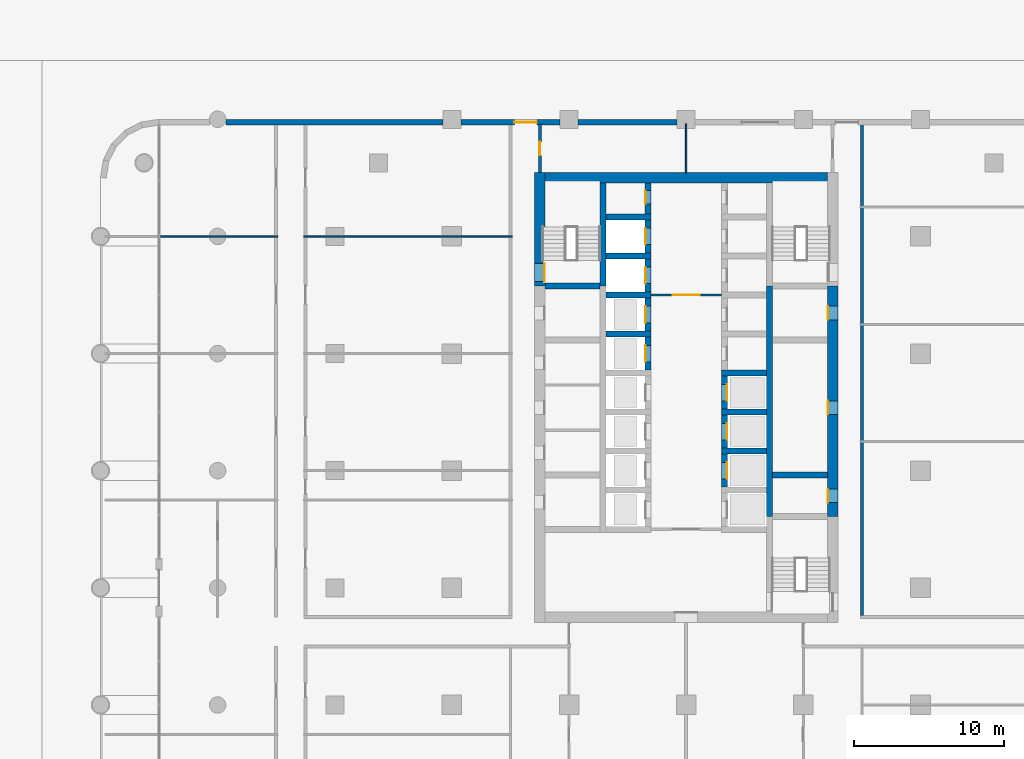
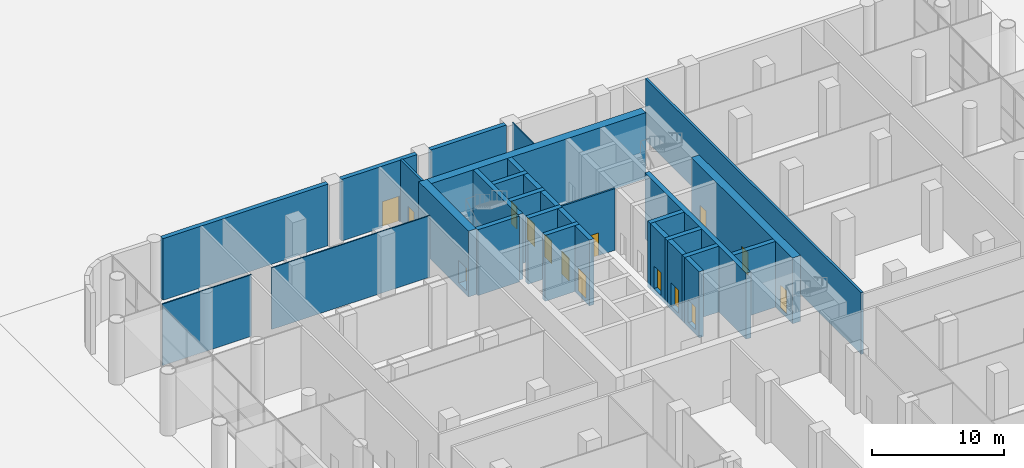
# One storey, part 14 of 32: 31 walls, 15 doors, 15 openings.
"""IFC4 building model written with IfcOpenShell, lengths in metres."""

from ifc_helpers import new_model, si_unit, direction, frame, frame_2d, origin, place, context, subcontext, project, spatial, rectangle, extrude, material, layer, layer_set, type_object, element, fill, save


model = new_model("IFC4")

# Units and contexts
model_context = context("Model", 3, precision=1e-05, world=origin(), true_north=direction((0.0, 1.0)))
body_context = subcontext(model_context, "Body", "Model", "MODEL_VIEW")
ifc_project = project(units=[si_unit("LENGTHUNIT", "METRE"), si_unit("AREAUNIT", "SQUARE_METRE"), si_unit("VOLUMEUNIT", "CUBIC_METRE"), si_unit("PLANEANGLEUNIT", "RADIAN"), si_unit("MASSUNIT", "GRAM", prefix="KILO")], contexts=[model_context])

# Site, building, storey
site_placement = place(None, origin())
site = spatial("IfcSite", under=ifc_project, at=site_placement, CompositionType="ELEMENT")
building_placement = place(site_placement, origin())
building = spatial("IfcBuilding", under=site, at=building_placement, Name="Ludao Terraces", CompositionType="ELEMENT")
storey_placement = place(building_placement, origin())
storey = spatial("IfcBuildingStorey", under=building, at=storey_placement, Name="L00", CompositionType="ELEMENT", Elevation=0.0)

# Wall, opening, door
ifc_material_1 = material(Name="Concrete C70", Category="concrete")
ifc_layer_1 = layer(ifc_material_1, 0.699951171875)
ifc_layer_set_1 = layer_set([ifc_layer_1], Name="Core wall 700 C70")
wall_type_1 = type_object("IfcWallType", Name="Core wall 700 C70", PredefinedType="SOLIDWALL", material=ifc_layer_set_1)
wall_1_placement = place(storey_placement, frame((75.25, 77.300048828125, -0.39990234375), z_axis=(0.0, 0.0, 1.0), x_axis=(0.0, 1.0, 0.0)))
wall_1 = element("IfcWall", 1, at=wall_1_placement, inside=storey, type_object=wall_type_1, Name="Core wall L00 outer-W-S1", PredefinedType="SOLIDWALL", context=body_context, shape_type="SweptSolid", body=[
    extrude(rectangle(XDim=7.550048828125, YDim=0.699951171875, at=frame_2d((3.77490234375, 0.0))), origin(), (0.0, 0.0, 1.0), 6.099853515625),
])
opening_1_placement = place(wall_1_placement, frame((0.300048828125, 0.0, 0.39990234375)))
opening_1 = element("IfcOpeningElement", 2, at=opening_1_placement, cuts=wall_1, Name="Opening L00-064", PredefinedType="OPENING", context=body_context, shape_type="SweptSolid", body=[
    extrude(rectangle(XDim=1.199951171875, YDim=2.10009765625, at=frame_2d((0.60009765625, 1.050048828125))), frame((0.0, 0.35986328125, 0.0), z_axis=(0.0, -1.0, 0.0), x_axis=(1.0, 0.0, 0.0)), (0.0, 0.0, 1.0), 0.719970703125),
])
ifc_material_2 = material(Name="Steel Q235", Category="steel")
door_type_1 = type_object("IfcDoorType", Name="INT Stair door 1200", OperationType="DOUBLE_DOOR_SINGLE_SWING", PredefinedType="DOOR", material=ifc_material_2)
door_1_placement = place(opening_1_placement, origin())
door_1 = element("IfcDoor", 3, at=door_1_placement, inside=storey, type_object=door_type_1, Name="DOOR 064", OperationType="DOUBLE_DOOR_SINGLE_SWING", OverallHeight=2.10009765625, OverallWidth=1.199951171875, PredefinedType="DOOR", context=body_context, shape_type="SweptSolid", body=[
    extrude(rectangle(XDim=1.199951171875, YDim=2.10009765625, at=frame_2d((0.60009765625, 1.050048828125))), frame((0.0, -0.28515625, 0.0), z_axis=(0.0, -1.0, 0.0), x_axis=(1.0, 0.0, 0.0)), (0.0, 0.0, 1.0), 0.050048828125),
])
fill(opening_1, door_1)

# Wall, openings, doors
wall_2_placement = place(storey_placement, frame((94.75, 61.949951171875, -0.39990234375), z_axis=(0.0, 0.0, 1.0), x_axis=(0.0, 1.0, 0.0)))
wall_2 = element("IfcWall", 4, at=wall_2_placement, inside=storey, type_object=wall_type_1, Name="Core wall L00 outer-E", PredefinedType="SOLIDWALL", context=body_context, shape_type="SweptSolid", body=[
    extrude(rectangle(XDim=15.35009765625, YDim=0.699951171875, at=frame_2d((7.675048828125, 0.0))), origin(), (0.0, 0.0, 1.0), 6.099853515625),
])
opening_2_placement = place(wall_2_placement, frame((0.925048828125, 0.0, 0.39990234375)))
opening_2 = element("IfcOpeningElement", 5, at=opening_2_placement, cuts=wall_2, Name="Opening L00-037", PredefinedType="OPENING", context=body_context, shape_type="SweptSolid", body=[
    extrude(rectangle(XDim=0.89990234375, YDim=2.10009765625, at=frame_2d((0.449951171875, 1.050048828125))), frame((0.0, 0.35986328125, 0.0), z_axis=(0.0, -1.0, 0.0), x_axis=(1.0, 0.0, 0.0)), (0.0, 0.0, 1.0), 0.719970703125),
])
opening_3_placement = place(wall_2_placement, frame((6.800048828125, 0.0, 0.39990234375)))
opening_3 = element("IfcOpeningElement", 6, at=opening_3_placement, cuts=wall_2, Name="Opening L00-047", PredefinedType="OPENING", context=body_context, shape_type="SweptSolid", body=[
    extrude(rectangle(XDim=0.89990234375, YDim=2.10009765625, at=frame_2d((0.449951171875, 1.050048828125))), frame((0.0, 0.35986328125, 0.0), z_axis=(0.0, -1.0, 0.0), x_axis=(1.0, 0.0, 0.0)), (0.0, 0.0, 1.0), 0.719970703125),
])
opening_4_placement = place(wall_2_placement, frame((13.10009765625, 0.0, 0.39990234375)))
opening_4 = element("IfcOpeningElement", 7, at=opening_4_placement, cuts=wall_2, Name="Opening L00-058", PredefinedType="OPENING", context=body_context, shape_type="SweptSolid", body=[
    extrude(rectangle(XDim=0.89990234375, YDim=2.10009765625, at=frame_2d((0.449951171875, 1.050048828125))), frame((0.0, 0.35986328125, 0.0), z_axis=(0.0, -1.0, 0.0), x_axis=(1.0, 0.0, 0.0)), (0.0, 0.0, 1.0), 0.719970703125),
])
door_type_2 = type_object("IfcDoorType", Name="INT Riser door 900", OperationType="SINGLE_SWING_LEFT", PredefinedType="DOOR", material=ifc_material_2)
door_2_placement = place(opening_2_placement, origin())
door_2 = element("IfcDoor", 8, at=door_2_placement, inside=storey, type_object=door_type_2, Name="DOOR 037", OperationType="SINGLE_SWING_RIGHT", OverallHeight=2.10009765625, OverallWidth=0.89990234375, PredefinedType="DOOR", context=body_context, shape_type="SweptSolid", body=[
    extrude(rectangle(XDim=0.89990234375, YDim=2.10009765625, at=frame_2d((0.449951171875, 1.050048828125))), frame((0.0, 0.3349609375, 0.0), z_axis=(0.0, -1.0, 0.0), x_axis=(1.0, 0.0, 0.0)), (0.0, 0.0, 1.0), 0.050048828125),
])
fill(opening_2, door_2)
door_3_placement = place(opening_4_placement, origin())
door_3 = element("IfcDoor", 9, at=door_3_placement, inside=storey, type_object=door_type_2, Name="DOOR 058", OperationType="SINGLE_SWING_LEFT", OverallHeight=2.10009765625, OverallWidth=0.89990234375, PredefinedType="DOOR", context=body_context, shape_type="SweptSolid", body=[
    extrude(rectangle(XDim=0.89990234375, YDim=2.10009765625, at=frame_2d((0.449951171875, 1.050048828125))), frame((0.0, 0.3349609375, 0.0), z_axis=(0.0, -1.0, 0.0), x_axis=(1.0, 0.0, 0.0)), (0.0, 0.0, 1.0), 0.050048828125),
])
fill(opening_4, door_3)
ifc_material_3 = material(Name="Timber door leaf", Category="wood")
door_type_3 = type_object("IfcDoorType", Name="INT Room door 900", OperationType="SINGLE_SWING_LEFT", PredefinedType="DOOR", material=ifc_material_3)
door_4_placement = place(opening_3_placement, origin())
door_4 = element("IfcDoor", 10, at=door_4_placement, inside=storey, type_object=door_type_3, Name="DOOR 047", OperationType="SINGLE_SWING_LEFT", OverallHeight=2.10009765625, OverallWidth=0.89990234375, PredefinedType="DOOR", context=body_context, shape_type="SweptSolid", body=[
    extrude(rectangle(XDim=0.89990234375, YDim=2.10009765625, at=frame_2d((0.449951171875, 1.050048828125))), frame((0.0, 0.3349609375, 0.0), z_axis=(0.0, -1.0, 0.0), x_axis=(1.0, 0.0, 0.0)), (0.0, 0.0, 1.0), 0.050048828125),
])
fill(opening_3, door_4)

# Walls
wall_3_placement = place(storey_placement, frame((75.60009765625, 84.5, -0.39990234375), z_axis=(0.0, 0.0, 1.0), x_axis=(1.0, 0.0, 0.0)))
element("IfcWall", 11, at=wall_3_placement, inside=storey, type_object=wall_type_1, Name="Core wall L00 outer-N", PredefinedType="SOLIDWALL", context=body_context, shape_type="SweptSolid", body=[
    extrude(rectangle(XDim=18.7998046875, YDim=0.699951171875, at=frame_2d((9.39990234375, 0.0))), origin(), (0.0, 0.0, 1.0), 6.099853515625),
])
ifc_material_4 = material(Name="Granite cladding", Category="masonry")
ifc_layer_2 = layer(ifc_material_4, 0.06005859375, Category="stone")
ifc_material_5 = material(Name="Mineral wool")
ifc_layer_3 = layer(ifc_material_5, 0.06005859375)
ifc_material_6 = material(Name="Concrete C40", Category="concrete")
ifc_layer_4 = layer(ifc_material_6, 0.260009765625, Category="concrete")
ifc_layer_set_2 = layer_set([ifc_layer_2, ifc_layer_3, ifc_layer_4], Name="ENV Stone-clad wall 380")
wall_type_2 = type_object("IfcWallType", Name="ENV Stone-clad wall 380", PredefinedType="SOLIDWALL", material=ifc_layer_set_2)
wall_4_placement = place(storey_placement, frame((54.35009765625, 88.2099609375, 0.0), z_axis=(0.0, 0.0, 1.0), x_axis=(1.0, 0.0, 0.0)))
element("IfcWall", 12, at=wall_4_placement, inside=storey, type_object=wall_type_2, Name="EW-L00-N2", PredefinedType="SOLIDWALL", context=body_context, shape_type="SweptSolid", body=[
    extrude(rectangle(XDim=14.449951171875, YDim=0.3798828125, at=frame_2d((7.22509765625, 0.0))), origin(), (0.0, 0.0, 1.0), 5.699951171875),
])

# Wall, opening, door
wall_5_placement = place(storey_placement, frame((70.0, 88.2099609375, 0.0), z_axis=(0.0, 0.0, 1.0), x_axis=(1.0, 0.0, 0.0)))
wall_5 = element("IfcWall", 13, at=wall_5_placement, inside=storey, type_object=wall_type_2, Name="EW-L00-N3", PredefinedType="SOLIDWALL", context=body_context, shape_type="SweptSolid", body=[
    extrude(rectangle(XDim=6.60009765625, YDim=0.3798828125, at=frame_2d((3.300048828125, 0.0))), origin(), (0.0, 0.0, 1.0), 5.699951171875),
])
opening_5_placement = place(wall_5_placement, frame((3.550048828125, 0.0, 0.0)))
opening_5 = element("IfcOpeningElement", 14, at=opening_5_placement, cuts=wall_5, Name="Opening XD", PredefinedType="OPENING", context=body_context, shape_type="SweptSolid", body=[
    extrude(rectangle(XDim=1.5, YDim=2.39990234375, at=frame_2d((0.75, 1.199951171875))), frame((0.0, 0.199951171875, 0.0), z_axis=(0.0, -1.0, 0.0), x_axis=(1.0, 0.0, 0.0)), (0.0, 0.0, 1.0), 0.39990234375),
])
ifc_layer_5 = layer(ifc_material_2, 0.06005859375)
ifc_layer_set_3 = layer_set([ifc_layer_5], Name="ENV Stair discharge door XD 1500x2400")
door_type_4 = type_object("IfcDoorType", Name="ENV Stair discharge door XD 1500x2400", OperationType="DOUBLE_DOOR_SINGLE_SWING", PredefinedType="DOOR", material=ifc_layer_set_3)
door_5_placement = place(opening_5_placement, origin())
door_5 = element("IfcDoor", 15, at=door_5_placement, inside=storey, type_object=door_type_4, Name="EX-L00-N3-743", OperationType="DOUBLE_DOOR_SINGLE_SWING", OverallHeight=2.39990234375, OverallWidth=1.5, PredefinedType="DOOR", context=body_context, shape_type="SweptSolid", body=[
    extrude(rectangle(XDim=1.5, YDim=2.39990234375, at=frame_2d((0.75, 1.199951171875))), frame((0.0, 0.02490234375, 0.0), z_axis=(0.0, -1.0, 0.0), x_axis=(1.0, 0.0, 0.0)), (0.0, 0.0, 1.0), 0.050048828125),
])
fill(opening_5, door_5)

# Wall
wall_6_placement = place(storey_placement, frame((77.800048828125, 88.2099609375, 0.0), z_axis=(0.0, 0.0, 1.0), x_axis=(1.0, 0.0, 0.0)))
element("IfcWall", 16, at=wall_6_placement, inside=storey, type_object=wall_type_2, Name="EW-L00-N4", PredefinedType="SOLIDWALL", context=body_context, shape_type="SweptSolid", body=[
    extrude(rectangle(XDim=6.599853515625, YDim=0.3798828125, at=frame_2d((3.2998046875, 0.0))), origin(), (0.0, 0.0, 1.0), 5.699951171875),
])

# Wall, opening, door
ifc_material_7 = material(Name="Fire-rated gypsum plasterboard", Category="gypsum")
ifc_layer_6 = layer(ifc_material_7, 0.012451171875, Category="gypsum")
ifc_layer_7 = layer(ifc_material_5, 0.10009765625, Name="insulation")
ifc_layer_8 = layer(ifc_material_2, 0.02490234375, Name="stud")
ifc_layer_9 = layer(ifc_material_7, 0.012451171875, Category="gypsum")
ifc_layer_set_4 = layer_set([ifc_layer_6, ifc_layer_7, ifc_layer_8, ifc_layer_9], Name="INT Core partition 150")
wall_type_3 = type_object("IfcWallType", Name="INT Core partition 150", PredefinedType="PARTITIONING", material=ifc_layer_set_4)
wall_7_placement = place(storey_placement, frame((82.650146484375, 76.699951171875, 0.0), z_axis=(0.0, 0.0, 1.0), x_axis=(1.0, 0.0, 0.0)))
wall_7 = element("IfcWall", 17, at=wall_7_placement, inside=storey, type_object=wall_type_3, Name="PW-L00-PW042", PredefinedType="PARTITIONING", context=body_context, shape_type="SweptSolid", body=[
    extrude(rectangle(XDim=4.699951171875, YDim=0.14990234375, at=frame_2d((2.35009765625, 0.0))), origin(), (0.0, 0.0, 1.0), 5.699951171875),
])
opening_6_placement = place(wall_7_placement, frame((1.449951171875, 0.0, 0.0)))
opening_6 = element("IfcOpeningElement", 18, at=opening_6_placement, cuts=wall_7, Name="Opening L00-061", PredefinedType="OPENING", context=body_context, shape_type="SweptSolid", body=[
    extrude(rectangle(XDim=1.800048828125, YDim=2.10009765625, at=frame_2d((0.89990234375, 1.050048828125))), frame((0.0, 0.0849609375, 0.0), z_axis=(0.0, -1.0, 0.0), x_axis=(1.0, 0.0, 0.0)), (0.0, 0.0, 1.0), 0.169921875),
])
door_type_5 = type_object("IfcDoorType", Name="INT Fire lobby door 1800", OperationType="DOUBLE_DOOR_SINGLE_SWING", PredefinedType="DOOR", material=ifc_material_2)
door_6_placement = place(opening_6_placement, origin())
door_6 = element("IfcDoor", 19, at=door_6_placement, inside=storey, type_object=door_type_5, Name="DOOR 061", OperationType="DOUBLE_DOOR_SINGLE_SWING", OverallHeight=2.10009765625, OverallWidth=1.800048828125, PredefinedType="DOOR", context=body_context, shape_type="SweptSolid", body=[
    extrude(rectangle(XDim=1.800048828125, YDim=2.10009765625, at=frame_2d((0.89990234375, 1.050048828125))), frame((0.0, 0.02490234375, 0.0), z_axis=(0.0, -1.0, 0.0), x_axis=(1.0, 0.0, 0.0)), (0.0, 0.0, 1.0), 0.050048828125),
])
fill(opening_6, door_6)

ifc_material_8 = material(Name="Autoclaved aerated concrete block B06 A3.5", Category="concrete")
ifc_layer_10 = layer(ifc_material_8, 0.199951171875)
ifc_layer_set_5 = layer_set([ifc_layer_10], Name="INT Entrance wall 200")
wall_type_4 = type_object("IfcWallType", Name="INT Entrance wall 200", PredefinedType="PARTITIONING", material=ifc_layer_set_5)
wall_8_placement = place(storey_placement, frame((75.25, 84.85009765625, 0.0), z_axis=(0.0, 0.0, 1.0), x_axis=(0.0, 1.0, 0.0)))
wall_8 = element("IfcWall", 20, at=wall_8_placement, inside=storey, type_object=wall_type_4, Name="PW-L00-PW057", PredefinedType="PARTITIONING", context=body_context, shape_type="SweptSolid", body=[
    extrude(rectangle(XDim=3.25, YDim=0.199951171875, at=frame_2d((1.625, 0.0))), origin(), (0.0, 0.0, 1.0), 5.699951171875),
])
opening_7_placement = place(wall_8_placement, frame((1.14990234375, 0.0, 0.0)))
opening_7 = element("IfcOpeningElement", 21, at=opening_7_placement, cuts=wall_8, Name="Opening L00-076", PredefinedType="OPENING", context=body_context, shape_type="SweptSolid", body=[
    extrude(rectangle(XDim=0.89990234375, YDim=2.10009765625, at=frame_2d((0.449951171875, 1.050048828125))), frame((0.0, 0.10986328125, 0.0), z_axis=(0.0, -1.0, 0.0), x_axis=(1.0, 0.0, 0.0)), (0.0, 0.0, 1.0), 0.219970703125),
])
door_7_placement = place(opening_7_placement, origin())
door_7 = element("IfcDoor", 22, at=door_7_placement, inside=storey, type_object=door_type_3, Name="DOOR 076", OperationType="SINGLE_SWING_RIGHT", OverallHeight=2.10009765625, OverallWidth=0.89990234375, PredefinedType="DOOR", context=body_context, shape_type="SweptSolid", body=[
    extrude(rectangle(XDim=0.89990234375, YDim=2.10009765625, at=frame_2d((0.449951171875, 1.050048828125))), frame((0.0, 0.02490234375, 0.0), z_axis=(0.0, -1.0, 0.0), x_axis=(1.0, 0.0, 0.0)), (0.0, 0.0, 1.0), 0.050048828125),
])
fill(opening_7, door_7)

# Walls
wall_9_placement = place(storey_placement, frame((96.699951171875, 55.35009765625, 0.0), z_axis=(0.0, 0.0, 1.0), x_axis=(0.0, 1.0, 0.0)))
element("IfcWall", 23, at=wall_9_placement, inside=storey, type_object=wall_type_4, Name="PW-L00-PW070", PredefinedType="PARTITIONING", context=body_context, shape_type="SweptSolid", body=[
    extrude(rectangle(XDim=32.75, YDim=0.199951171875, at=frame_2d((16.375, 0.0))), origin(), (0.0, 0.0, 1.0), 5.699951171875),
])
ifc_material_9 = material(Name="Gypsum plasterboard", Category="gypsum")
ifc_layer_11 = layer(ifc_material_9, 0.012451171875, Category="gypsum")
ifc_layer_12 = layer(ifc_material_5, 0.06005859375, Name="insulation")
ifc_layer_13 = layer(ifc_material_2, 0.014892578125, Name="stud")
ifc_layer_14 = layer(ifc_material_9, 0.012451171875, Category="gypsum")
ifc_layer_set_6 = layer_set([ifc_layer_11, ifc_layer_12, ifc_layer_13, ifc_layer_14], Name="INT Partition 100")
wall_type_5 = type_object("IfcWallType", Name="INT Partition 100", PredefinedType="PARTITIONING", material=ifc_layer_set_6)
wall_10_placement = place(storey_placement, frame((50.0, 80.60009765625, 0.0), z_axis=(0.0, 0.0, 1.0), x_axis=(1.0, 0.0, 0.0)))
element("IfcWall", 24, at=wall_10_placement, inside=storey, type_object=wall_type_5, Name="PW-L00-PW044", PredefinedType="PARTITIONING", context=body_context, shape_type="SweptSolid", body=[
    extrude(rectangle(XDim=7.800048828125, YDim=0.10009765625, at=frame_2d((3.89990234375, 0.0))), origin(), (0.0, 0.0, 1.0), 5.699951171875),
])
wall_11_placement = place(storey_placement, frame((59.550048828125, 80.60009765625, 0.0), z_axis=(0.0, 0.0, 1.0), x_axis=(1.0, 0.0, 0.0)))
element("IfcWall", 25, at=wall_11_placement, inside=storey, type_object=wall_type_5, Name="PW-L00-PW045", PredefinedType="PARTITIONING", context=body_context, shape_type="SweptSolid", body=[
    extrude(rectangle(XDim=13.85009765625, YDim=0.10009765625, at=frame_2d((6.925048828125, 0.0))), origin(), (0.0, 0.0, 1.0), 5.699951171875),
])
wall_12_placement = place(storey_placement, frame((85.0, 84.85009765625, 0.0), z_axis=(0.0, 0.0, 1.0), x_axis=(0.0, 1.0, 0.0)))
element("IfcWall", 26, at=wall_12_placement, inside=storey, type_object=wall_type_5, Name="PW-L00-PW063", PredefinedType="PARTITIONING", context=body_context, shape_type="SweptSolid", body=[
    extrude(rectangle(XDim=3.25, YDim=0.10009765625, at=frame_2d((1.625, 0.0))), origin(), (0.0, 0.0, 1.0), 5.699951171875),
])
ifc_material_10 = material(Name="Concrete C60", Category="concrete")
ifc_layer_15 = layer(ifc_material_10, 0.39990234375)
ifc_layer_set_7 = layer_set([ifc_layer_15], Name="Shaft wall 400 C60")
wall_type_6 = type_object("IfcWallType", Name="Shaft wall 400 C60", PredefinedType="SOLIDWALL", material=ifc_layer_set_7)
wall_13_placement = place(storey_placement, frame((79.449951171875, 77.300048828125, -0.39990234375), z_axis=(0.0, 0.0, 1.0), x_axis=(0.0, 1.0, 0.0)))
element("IfcWall", 27, at=wall_13_placement, inside=storey, type_object=wall_type_6, Name="Core wall L00 back-W-S1", PredefinedType="SOLIDWALL", context=body_context, shape_type="SweptSolid", body=[
    extrude(rectangle(XDim=6.849853515625, YDim=0.39990234375, at=frame_2d((3.4248046875, 0.0))), origin(), (0.0, 0.0, 1.0), 6.099853515625),
])
wall_14_placement = place(storey_placement, frame((90.550048828125, 61.949951171875, -0.39990234375), z_axis=(0.0, 0.0, 1.0), x_axis=(0.0, 1.0, 0.0)))
element("IfcWall", 28, at=wall_14_placement, inside=storey, type_object=wall_type_6, Name="Core wall L00 back-E", PredefinedType="SOLIDWALL", context=body_context, shape_type="SweptSolid", body=[
    extrude(rectangle(XDim=15.35009765625, YDim=0.39990234375, at=frame_2d((7.675048828125, 0.0))), origin(), (0.0, 0.0, 1.0), 6.099853515625),
])

# Wall, opening, door
wall_15_placement = place(storey_placement, frame((82.449951171875, 71.699951171875, -0.39990234375), z_axis=(0.0, 0.0, 1.0), x_axis=(0.0, 1.0, 0.0)))
wall_15 = element("IfcWall", 29, at=wall_15_placement, inside=storey, type_object=wall_type_6, Name="Core wall L00 front-W5", PredefinedType="SOLIDWALL", context=body_context, shape_type="SweptSolid", body=[
    extrude(rectangle(XDim=2.199951171875, YDim=0.39990234375, at=frame_2d((1.10009765625, 0.0))), origin(), (0.0, 0.0, 1.0), 6.099853515625),
])
opening_8_placement = place(wall_15_placement, frame((0.550048828125, 0.0, 0.39990234375)))
opening_8 = element("IfcOpeningElement", 30, at=opening_8_placement, cuts=wall_15, Name="Opening LD-LA5", PredefinedType="OPENING", context=body_context, shape_type="SweptSolid", body=[
    extrude(rectangle(XDim=1.10009765625, YDim=2.10009765625, at=frame_2d((0.550048828125, 1.050048828125))), frame((0.0, 0.2099609375, 0.0), z_axis=(0.0, -1.0, 0.0), x_axis=(1.0, 0.0, 0.0)), (0.0, 0.0, 1.0), 0.419921875),
])
ifc_material_11 = material(Name="Stainless steel 304", Category="steel")
door_type_6 = type_object("IfcDoorType", Name="INT Lift landing door 1100", OperationType="SLIDING_TO_LEFT", PredefinedType="DOOR", material=ifc_material_11)
door_8_placement = place(opening_8_placement, origin())
door_8 = element("IfcDoor", 31, at=door_8_placement, inside=storey, type_object=door_type_6, Name="LANDING DOOR LA5 L00", OperationType="SLIDING_TO_LEFT", OverallHeight=2.10009765625, OverallWidth=1.10009765625, PredefinedType="DOOR", context=body_context, shape_type="SweptSolid", body=[
    extrude(rectangle(XDim=1.10009765625, YDim=2.10009765625, at=frame_2d((0.550048828125, 1.050048828125))), frame((0.0, 0.18505859375, 0.0), z_axis=(0.0, -1.0, 0.0), x_axis=(1.0, 0.0, 0.0)), (0.0, 0.0, 1.0), 0.050048828125),
])
fill(opening_8, door_8)

# Wall
wall_16_placement = place(storey_placement, frame((79.64990234375, 74.10009765625, -0.39990234375), z_axis=(0.0, 0.0, 1.0), x_axis=(1.0, 0.0, 0.0)))
element("IfcWall", 32, at=wall_16_placement, inside=storey, type_object=wall_type_6, Name="Core wall L00 div-W6", PredefinedType="SOLIDWALL", context=body_context, shape_type="SweptSolid", body=[
    extrude(rectangle(XDim=3.0, YDim=0.39990234375, at=frame_2d((1.5, 0.0))), origin(), (0.0, 0.0, 1.0), 6.099853515625),
])

# Wall, opening, door
wall_17_placement = place(storey_placement, frame((82.449951171875, 74.300048828125, -0.39990234375), z_axis=(0.0, 0.0, 1.0), x_axis=(0.0, 1.0, 0.0)))
wall_17 = element("IfcWall", 33, at=wall_17_placement, inside=storey, type_object=wall_type_6, Name="Core wall L00 front-W6", PredefinedType="SOLIDWALL", context=body_context, shape_type="SweptSolid", body=[
    extrude(rectangle(XDim=2.199951171875, YDim=0.39990234375, at=frame_2d((1.10009765625, 0.0))), origin(), (0.0, 0.0, 1.0), 6.099853515625),
])
opening_9_placement = place(wall_17_placement, frame((0.550048828125, 0.0, 0.39990234375)))
opening_9 = element("IfcOpeningElement", 34, at=opening_9_placement, cuts=wall_17, Name="Opening LD-LA6", PredefinedType="OPENING", context=body_context, shape_type="SweptSolid", body=[
    extrude(rectangle(XDim=1.10009765625, YDim=2.10009765625, at=frame_2d((0.550048828125, 1.050048828125))), frame((0.0, 0.2099609375, 0.0), z_axis=(0.0, -1.0, 0.0), x_axis=(1.0, 0.0, 0.0)), (0.0, 0.0, 1.0), 0.419921875),
])
door_9_placement = place(opening_9_placement, origin())
door_9 = element("IfcDoor", 35, at=door_9_placement, inside=storey, type_object=door_type_6, Name="LANDING DOOR LA6 L00", OperationType="SLIDING_TO_LEFT", OverallHeight=2.10009765625, OverallWidth=1.10009765625, PredefinedType="DOOR", context=body_context, shape_type="SweptSolid", body=[
    extrude(rectangle(XDim=1.10009765625, YDim=2.10009765625, at=frame_2d((0.550048828125, 1.050048828125))), frame((0.0, 0.18505859375, 0.0), z_axis=(0.0, -1.0, 0.0), x_axis=(1.0, 0.0, 0.0)), (0.0, 0.0, 1.0), 0.050048828125),
])
fill(opening_9, door_9)

# Wall
wall_18_placement = place(storey_placement, frame((79.64990234375, 76.699951171875, -0.39990234375), z_axis=(0.0, 0.0, 1.0), x_axis=(1.0, 0.0, 0.0)))
element("IfcWall", 36, at=wall_18_placement, inside=storey, type_object=wall_type_6, Name="Core wall L00 div-W7", PredefinedType="SOLIDWALL", context=body_context, shape_type="SweptSolid", body=[
    extrude(rectangle(XDim=3.0, YDim=0.39990234375, at=frame_2d((1.5, 0.0))), origin(), (0.0, 0.0, 1.0), 6.099853515625),
])

# Wall, opening, door
wall_19_placement = place(storey_placement, frame((82.449951171875, 76.89990234375, -0.39990234375), z_axis=(0.0, 0.0, 1.0), x_axis=(0.0, 1.0, 0.0)))
wall_19 = element("IfcWall", 37, at=wall_19_placement, inside=storey, type_object=wall_type_6, Name="Core wall L00 front-W7", PredefinedType="SOLIDWALL", context=body_context, shape_type="SweptSolid", body=[
    extrude(rectangle(XDim=2.2001953125, YDim=0.39990234375, at=frame_2d((1.10009765625, 0.0))), origin(), (0.0, 0.0, 1.0), 6.099853515625),
])
opening_10_placement = place(wall_19_placement, frame((0.550048828125, 0.0, 0.39990234375)))
opening_10 = element("IfcOpeningElement", 38, at=opening_10_placement, cuts=wall_19, Name="Opening LD-FF1", PredefinedType="OPENING", context=body_context, shape_type="SweptSolid", body=[
    extrude(rectangle(XDim=1.10009765625, YDim=2.10009765625, at=frame_2d((0.550048828125, 1.050048828125))), frame((0.0, 0.2099609375, 0.0), z_axis=(0.0, -1.0, 0.0), x_axis=(1.0, 0.0, 0.0)), (0.0, 0.0, 1.0), 0.419921875),
])
door_10_placement = place(opening_10_placement, origin())
door_10 = element("IfcDoor", 39, at=door_10_placement, inside=storey, type_object=door_type_6, Name="LANDING DOOR FF1 L00", OperationType="SLIDING_TO_LEFT", OverallHeight=2.10009765625, OverallWidth=1.10009765625, PredefinedType="DOOR", context=body_context, shape_type="SweptSolid", body=[
    extrude(rectangle(XDim=1.10009765625, YDim=2.10009765625, at=frame_2d((0.550048828125, 1.050048828125))), frame((0.0, 0.18505859375, 0.0), z_axis=(0.0, -1.0, 0.0), x_axis=(1.0, 0.0, 0.0)), (0.0, 0.0, 1.0), 0.050048828125),
])
fill(opening_10, door_10)

# Wall
wall_20_placement = place(storey_placement, frame((79.64990234375, 79.300048828125, -0.39990234375), z_axis=(0.0, 0.0, 1.0), x_axis=(1.0, 0.0, 0.0)))
element("IfcWall", 40, at=wall_20_placement, inside=storey, type_object=wall_type_6, Name="Core wall L00 div-W8", PredefinedType="SOLIDWALL", context=body_context, shape_type="SweptSolid", body=[
    extrude(rectangle(XDim=3.0, YDim=0.39990234375, at=frame_2d((1.5, 0.0))), origin(), (0.0, 0.0, 1.0), 6.099853515625),
])

# Wall, opening, door
wall_21_placement = place(storey_placement, frame((82.449951171875, 79.5, -0.39990234375), z_axis=(0.0, 0.0, 1.0), x_axis=(0.0, 1.0, 0.0)))
wall_21 = element("IfcWall", 41, at=wall_21_placement, inside=storey, type_object=wall_type_6, Name="Core wall L00 front-W8", PredefinedType="SOLIDWALL", context=body_context, shape_type="SweptSolid", body=[
    extrude(rectangle(XDim=2.199951171875, YDim=0.39990234375, at=frame_2d((1.10009765625, 0.0))), origin(), (0.0, 0.0, 1.0), 6.099853515625),
])
opening_11_placement = place(wall_21_placement, frame((0.550048828125, 0.0, 0.39990234375)))
opening_11 = element("IfcOpeningElement", 42, at=opening_11_placement, cuts=wall_21, Name="Opening LD-FF2", PredefinedType="OPENING", context=body_context, shape_type="SweptSolid", body=[
    extrude(rectangle(XDim=1.10009765625, YDim=2.10009765625, at=frame_2d((0.550048828125, 1.050048828125))), frame((0.0, 0.2099609375, 0.0), z_axis=(0.0, -1.0, 0.0), x_axis=(1.0, 0.0, 0.0)), (0.0, 0.0, 1.0), 0.419921875),
])
door_11_placement = place(opening_11_placement, origin())
door_11 = element("IfcDoor", 43, at=door_11_placement, inside=storey, type_object=door_type_6, Name="LANDING DOOR FF2 L00", OperationType="SLIDING_TO_LEFT", OverallHeight=2.10009765625, OverallWidth=1.10009765625, PredefinedType="DOOR", context=body_context, shape_type="SweptSolid", body=[
    extrude(rectangle(XDim=1.10009765625, YDim=2.10009765625, at=frame_2d((0.550048828125, 1.050048828125))), frame((0.0, 0.18505859375, 0.0), z_axis=(0.0, -1.0, 0.0), x_axis=(1.0, 0.0, 0.0)), (0.0, 0.0, 1.0), 0.050048828125),
])
fill(opening_11, door_11)

# Wall
wall_22_placement = place(storey_placement, frame((79.64990234375, 81.89990234375, -0.39990234375), z_axis=(0.0, 0.0, 1.0), x_axis=(1.0, 0.0, 0.0)))
element("IfcWall", 44, at=wall_22_placement, inside=storey, type_object=wall_type_6, Name="Core wall L00 div-W9", PredefinedType="SOLIDWALL", context=body_context, shape_type="SweptSolid", body=[
    extrude(rectangle(XDim=3.0, YDim=0.39990234375, at=frame_2d((1.5, 0.0))), origin(), (0.0, 0.0, 1.0), 6.099853515625),
])

# Wall, opening, door
wall_23_placement = place(storey_placement, frame((82.449951171875, 82.10009765625, -0.39990234375), z_axis=(0.0, 0.0, 1.0), x_axis=(0.0, 1.0, 0.0)))
wall_23 = element("IfcWall", 45, at=wall_23_placement, inside=storey, type_object=wall_type_6, Name="Core wall L00 front-W9", PredefinedType="SOLIDWALL", context=body_context, shape_type="SweptSolid", body=[
    extrude(rectangle(XDim=2.0498046875, YDim=0.39990234375, at=frame_2d((1.02490234375, 0.0))), origin(), (0.0, 0.0, 1.0), 6.099853515625),
])
opening_12_placement = place(wall_23_placement, frame((0.64990234375, 0.0, 0.39990234375)))
opening_12 = element("IfcOpeningElement", 46, at=opening_12_placement, cuts=wall_23, Name="Opening L00-070", PredefinedType="OPENING", context=body_context, shape_type="SweptSolid", body=[
    extrude(rectangle(XDim=0.89990234375, YDim=2.10009765625, at=frame_2d((0.449951171875, 1.050048828125))), frame((0.0, 0.2099609375, 0.0), z_axis=(0.0, -1.0, 0.0), x_axis=(1.0, 0.0, 0.0)), (0.0, 0.0, 1.0), 0.419921875),
])
door_12_placement = place(opening_12_placement, origin())
door_12 = element("IfcDoor", 47, at=door_12_placement, inside=storey, type_object=door_type_3, Name="DOOR 070", OperationType="SINGLE_SWING_RIGHT", OverallHeight=2.10009765625, OverallWidth=0.89990234375, PredefinedType="DOOR", context=body_context, shape_type="SweptSolid", body=[
    extrude(rectangle(XDim=0.89990234375, YDim=2.10009765625, at=frame_2d((0.449951171875, 1.050048828125))), frame((0.0, 0.18505859375, 0.0), z_axis=(0.0, -1.0, 0.0), x_axis=(1.0, 0.0, 0.0)), (0.0, 0.0, 1.0), 0.050048828125),
])
fill(opening_12, door_12)

wall_24_placement = place(storey_placement, frame((87.550048828125, 63.89990234375, -0.39990234375), z_axis=(0.0, 0.0, 1.0), x_axis=(0.0, 1.0, 0.0)))
wall_24 = element("IfcWall", 48, at=wall_24_placement, inside=storey, type_object=wall_type_6, Name="Core wall L00 front-E2", PredefinedType="SOLIDWALL", context=body_context, shape_type="SweptSolid", body=[
    extrude(rectangle(XDim=2.2001953125, YDim=0.39990234375, at=frame_2d((1.10009765625, 0.0))), origin(), (0.0, 0.0, 1.0), 6.099853515625),
])
opening_13_placement = place(wall_24_placement, frame((0.550048828125, 0.0, 0.39990234375)))
opening_13 = element("IfcOpeningElement", 49, at=opening_13_placement, cuts=wall_24, Name="Opening LD-SH2", PredefinedType="OPENING", context=body_context, shape_type="SweptSolid", body=[
    extrude(rectangle(XDim=1.10009765625, YDim=2.10009765625, at=frame_2d((0.550048828125, 1.050048828125))), frame((0.0, 0.2099609375, 0.0), z_axis=(0.0, -1.0, 0.0), x_axis=(1.0, 0.0, 0.0)), (0.0, 0.0, 1.0), 0.419921875),
])
door_13_placement = place(opening_13_placement, origin())
door_13 = element("IfcDoor", 50, at=door_13_placement, inside=storey, type_object=door_type_6, Name="LANDING DOOR SH2 L00", OperationType="SLIDING_TO_RIGHT", OverallHeight=2.10009765625, OverallWidth=1.10009765625, PredefinedType="DOOR", context=body_context, shape_type="SweptSolid", body=[
    extrude(rectangle(XDim=1.10009765625, YDim=2.10009765625, at=frame_2d((0.550048828125, 1.050048828125))), frame((0.0, -0.134765625, 0.0), z_axis=(0.0, -1.0, 0.0), x_axis=(1.0, 0.0, 0.0)), (0.0, 0.0, 1.0), 0.050048828125),
])
fill(opening_13, door_13)

# Wall
wall_25_placement = place(storey_placement, frame((87.35009765625, 66.300048828125, -0.39990234375), z_axis=(0.0, 0.0, 1.0), x_axis=(1.0, 0.0, 0.0)))
element("IfcWall", 51, at=wall_25_placement, inside=storey, type_object=wall_type_6, Name="Core wall L00 div-E3", PredefinedType="SOLIDWALL", context=body_context, shape_type="SweptSolid", body=[
    extrude(rectangle(XDim=3.0, YDim=0.39990234375, at=frame_2d((1.5, 0.0))), origin(), (0.0, 0.0, 1.0), 6.099853515625),
])

# Wall, opening, door
wall_26_placement = place(storey_placement, frame((87.550048828125, 66.5, -0.39990234375), z_axis=(0.0, 0.0, 1.0), x_axis=(0.0, 1.0, 0.0)))
wall_26 = element("IfcWall", 52, at=wall_26_placement, inside=storey, type_object=wall_type_6, Name="Core wall L00 front-E3", PredefinedType="SOLIDWALL", context=body_context, shape_type="SweptSolid", body=[
    extrude(rectangle(XDim=2.199951171875, YDim=0.39990234375, at=frame_2d((1.10009765625, 0.0))), origin(), (0.0, 0.0, 1.0), 6.099853515625),
])
opening_14_placement = place(wall_26_placement, frame((0.550048828125, 0.0, 0.39990234375)))
opening_14 = element("IfcOpeningElement", 53, at=opening_14_placement, cuts=wall_26, Name="Opening LD-SH3", PredefinedType="OPENING", context=body_context, shape_type="SweptSolid", body=[
    extrude(rectangle(XDim=1.10009765625, YDim=2.10009765625, at=frame_2d((0.550048828125, 1.050048828125))), frame((0.0, 0.2099609375, 0.0), z_axis=(0.0, -1.0, 0.0), x_axis=(1.0, 0.0, 0.0)), (0.0, 0.0, 1.0), 0.419921875),
])
door_14_placement = place(opening_14_placement, origin())
door_14 = element("IfcDoor", 54, at=door_14_placement, inside=storey, type_object=door_type_6, Name="LANDING DOOR SH3 L00", OperationType="SLIDING_TO_RIGHT", OverallHeight=2.10009765625, OverallWidth=1.10009765625, PredefinedType="DOOR", context=body_context, shape_type="SweptSolid", body=[
    extrude(rectangle(XDim=1.10009765625, YDim=2.10009765625, at=frame_2d((0.550048828125, 1.050048828125))), frame((0.0, -0.134765625, 0.0), z_axis=(0.0, -1.0, 0.0), x_axis=(1.0, 0.0, 0.0)), (0.0, 0.0, 1.0), 0.050048828125),
])
fill(opening_14, door_14)

# Wall
wall_27_placement = place(storey_placement, frame((87.35009765625, 68.89990234375, -0.39990234375), z_axis=(0.0, 0.0, 1.0), x_axis=(1.0, 0.0, 0.0)))
element("IfcWall", 55, at=wall_27_placement, inside=storey, type_object=wall_type_6, Name="Core wall L00 div-E4", PredefinedType="SOLIDWALL", context=body_context, shape_type="SweptSolid", body=[
    extrude(rectangle(XDim=3.0, YDim=0.39990234375, at=frame_2d((1.5, 0.0))), origin(), (0.0, 0.0, 1.0), 6.099853515625),
])

# Wall, opening, door
wall_28_placement = place(storey_placement, frame((87.550048828125, 69.10009765625, -0.39990234375), z_axis=(0.0, 0.0, 1.0), x_axis=(0.0, 1.0, 0.0)))
wall_28 = element("IfcWall", 56, at=wall_28_placement, inside=storey, type_object=wall_type_6, Name="Core wall L00 front-E4", PredefinedType="SOLIDWALL", context=body_context, shape_type="SweptSolid", body=[
    extrude(rectangle(XDim=2.199951171875, YDim=0.39990234375, at=frame_2d((1.10009765625, 0.0))), origin(), (0.0, 0.0, 1.0), 6.099853515625),
])
opening_15_placement = place(wall_28_placement, frame((0.550048828125, 0.0, 0.39990234375)))
opening_15 = element("IfcOpeningElement", 57, at=opening_15_placement, cuts=wall_28, Name="Opening LD-SH4", PredefinedType="OPENING", context=body_context, shape_type="SweptSolid", body=[
    extrude(rectangle(XDim=1.10009765625, YDim=2.10009765625, at=frame_2d((0.550048828125, 1.050048828125))), frame((0.0, 0.2099609375, 0.0), z_axis=(0.0, -1.0, 0.0), x_axis=(1.0, 0.0, 0.0)), (0.0, 0.0, 1.0), 0.419921875),
])
door_15_placement = place(opening_15_placement, origin())
door_15 = element("IfcDoor", 58, at=door_15_placement, inside=storey, type_object=door_type_6, Name="LANDING DOOR SH4 L00", OperationType="SLIDING_TO_LEFT", OverallHeight=2.10009765625, OverallWidth=1.10009765625, PredefinedType="DOOR", context=body_context, shape_type="SweptSolid", body=[
    extrude(rectangle(XDim=1.10009765625, YDim=2.10009765625, at=frame_2d((0.550048828125, 1.050048828125))), frame((0.0, -0.134765625, 0.0), z_axis=(0.0, -1.0, 0.0), x_axis=(1.0, 0.0, 0.0)), (0.0, 0.0, 1.0), 0.050048828125),
])
fill(opening_15, door_15)

# Walls
wall_29_placement = place(storey_placement, frame((87.35009765625, 71.5, -0.39990234375), z_axis=(0.0, 0.0, 1.0), x_axis=(1.0, 0.0, 0.0)))
element("IfcWall", 59, at=wall_29_placement, inside=storey, type_object=wall_type_6, Name="Core wall L00 div-E5", PredefinedType="SOLIDWALL", context=body_context, shape_type="SweptSolid", body=[
    extrude(rectangle(XDim=3.0, YDim=0.39990234375, at=frame_2d((1.5, 0.0))), origin(), (0.0, 0.0, 1.0), 6.099853515625),
])
for number, where, z_axis, x_axis, name in (
    (60, (75.60009765625, 77.300048828125, -0.39990234375), (0.0, 0.0, 1.0), (1.0, 0.0, 0.0), "Core wall L00 stair-W"),
    (61, (90.75, 64.699951171875, -0.39990234375), (0.0, 0.0, 1.0), (1.0, 0.0, 0.0), "Core wall L00 riser-a-E"),
):
    element("IfcWall", number, at=place(storey_placement, frame(where, z_axis=z_axis, x_axis=x_axis)), inside=storey, type_object=wall_type_6, Name=name, PredefinedType="SOLIDWALL", context=body_context, shape_type="SweptSolid", body=[
        extrude(rectangle(XDim=3.64990234375, YDim=0.39990234375, at=frame_2d((1.824951171875, 0.0))), origin(), (0.0, 0.0, 1.0), 6.099853515625),
    ])

save(model, "model.ifc")
